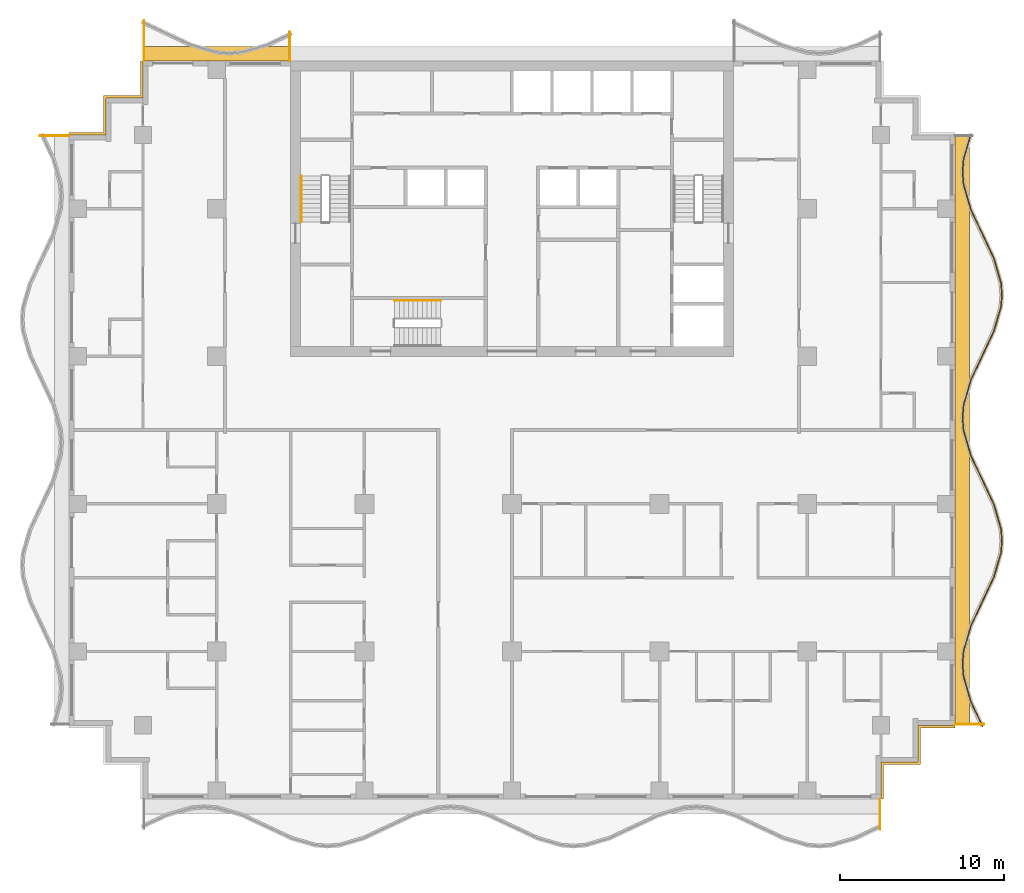
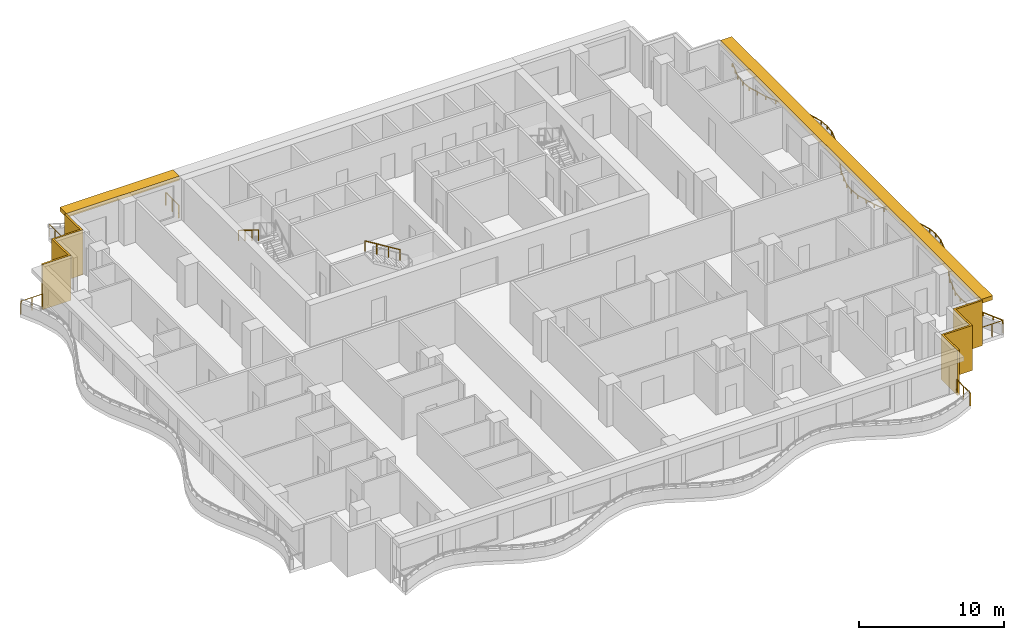
# One storey, part 10 of 11: 8 railings, 4 shading devices.
"""IFC4 building model written with IfcOpenShell, lengths in metres."""

from ifc_helpers import new_model, si_unit, direction, frame, origin, origin_2d, place, context, subcontext, project, spatial, polyline, rectangle, circle, outline, extrude, material, layer, layer_set, type_object, element, save


model = new_model("IFC4")

# Units and contexts
model_context = context("Model", 3, precision=1e-05, world=origin(), true_north=direction((0.0, 1.0)))
body_context = subcontext(model_context, "Body", "Model", "MODEL_VIEW")
ifc_project = project(units=[si_unit("LENGTHUNIT", "METRE"), si_unit("AREAUNIT", "SQUARE_METRE"), si_unit("VOLUMEUNIT", "CUBIC_METRE"), si_unit("PLANEANGLEUNIT", "RADIAN"), si_unit("MASSUNIT", "GRAM", prefix="KILO")], contexts=[model_context])

# Site, building, storey
site_placement = place(None, origin())
site = spatial("IfcSite", under=ifc_project, at=site_placement, CompositionType="ELEMENT")
building_placement = place(site_placement, origin())
building = spatial("IfcBuilding", under=site, at=building_placement, Name="Orbiselva Terraces", CompositionType="ELEMENT")
storey_placement = place(building_placement, frame((0.0, 0.0, 195.8)))
storey = spatial("IfcBuildingStorey", under=building, at=storey_placement, Name="L49", CompositionType="ELEMENT", Elevation=195.8)

# Railings
ifc_material_1 = material(Name="Stainless steel", Category="steel")
railing_type_1 = type_object("IfcRailingType", Name="CORE-HANDRAIL-900", PredefinedType="HANDRAIL", material=ifc_material_1)
railing_1_placement = place(storey_placement, frame((-12.85, 15.5, 2.072727)))
element("IfcRailing", 1, at=railing_1_placement, inside=storey, type_object=railing_type_1, Name="L49 S1 stair handrail 2", PredefinedType="HANDRAIL", context=body_context, shape_type="SweptSolid", body=[
    extrude(circle(Radius=0.024, at=origin_2d()), frame((0.0, 0.0, 0.876), z_axis=(0.0, -0.851088519012, 0.52502222125), x_axis=(1.0, 0.0, 0.0)), (0.0, 0.0, 1.0), 3.289905),
    extrude(circle(Radius=0.021, at=origin_2d()), origin(), (0.0, 0.0, 1.0), 0.852),
    extrude(circle(Radius=0.021, at=origin_2d()), frame((0.0, -0.933333, 0.575758)), (0.0, 0.0, 1.0), 0.852),
    extrude(circle(Radius=0.021, at=origin_2d()), frame((0.0, -1.866667, 1.151515)), (0.0, 0.0, 1.0), 0.852),
    extrude(circle(Radius=0.021, at=origin_2d()), frame((0.0, -2.8, 1.727273)), (0.0, 0.0, 1.0), 0.852),
])
railing_2_placement = place(storey_placement, frame((-4.35, 7.9, 2.072727)))
element("IfcRailing", 2, at=railing_2_placement, inside=storey, type_object=railing_type_1, Name="L49 S3 stair handrail 2", PredefinedType="HANDRAIL", context=body_context, shape_type="SweptSolid", body=[
    extrude(circle(Radius=0.024, at=origin_2d()), frame((0.0, 0.0, 0.876), z_axis=(-0.851088519012, 0.0, 0.52502222125), x_axis=(0.0, -1.0, 0.0)), (0.0, 0.0, 1.0), 3.289905),
    extrude(circle(Radius=0.021, at=origin_2d()), origin(), (0.0, 0.0, 1.0), 0.852),
    extrude(circle(Radius=0.021, at=origin_2d()), frame((-0.933333, 0.0, 0.575758)), (0.0, 0.0, 1.0), 0.852),
    extrude(circle(Radius=0.021, at=origin_2d()), frame((-1.866667, 0.0, 1.151515)), (0.0, 0.0, 1.0), 0.852),
    extrude(circle(Radius=0.021, at=origin_2d()), frame((-2.8, 0.0, 1.727273)), (0.0, 0.0, 1.0), 0.852),
])
ifc_material_2 = material(Name="Bonded two-ply safety glass balustrade, stainless steel posts", Category="steel")
railing_type_2 = type_object("IfcRailingType", Name="ENV-BALUSTRADE-1200", PredefinedType="BALUSTRADE", material=ifc_material_2)
railing_3_placement = place(storey_placement, frame((28.686882, -18.053191, 0.9)))
element("IfcRailing", 3, at=railing_3_placement, inside=storey, type_object=railing_type_2, Name="Balcony balustrade L49 E", PredefinedType="BALUSTRADE", context=body_context, shape_type="SweptSolid", body=[
    extrude(outline(polyline([(0.028868, 0.0), (0.014434, 0.025), (-0.014434, 0.025), (-0.028868, 0.0), (-0.014434, -0.025), (0.014434, -0.025), (0.028868, 0.0)])), frame((0.0, 0.0, 0.275), z_axis=(-0.425530342069, 0.904944157382, 0.0), x_axis=(-0.904944157382, -0.425530342069, 0.0)), (0.0, 0.0, 1.0), 1.667376),
    extrude(outline(polyline([(0.028868, 0.0), (0.014434, 0.025), (-0.014434, 0.025), (-0.028868, 0.0), (-0.014434, -0.025), (0.014434, -0.025), (0.028868, 0.0)])), frame((-0.709519, 1.508882, 0.275), z_axis=(-0.279070928786, 0.960270491427, 0.0), x_axis=(-0.960270491427, -0.279070928786, 0.0)), (0.0, 0.0, 1.0), 1.584712),
    extrude(outline(polyline([(0.028868, 0.0), (0.014434, 0.025), (-0.014434, 0.025), (-0.028868, 0.0), (-0.014434, -0.025), (0.014434, -0.025), (0.028868, 0.0)])), frame((-1.151766, 3.030634, 0.275), z_axis=(-0.078071061106, 0.996947796737, 0.0), x_axis=(-0.996947796737, -0.078071061106, 0.0)), (0.0, 0.0, 1.0), 0.774922),
    extrude(outline(polyline([(0.028868, 0.0), (0.014434, 0.025), (-0.014434, 0.025), (-0.028868, 0.0), (-0.014434, -0.025), (0.014434, -0.025), (0.028868, 0.0)])), frame((-1.212265, 3.803191, 0.275), z_axis=(0.078071061106, 0.996947796737, 0.0), x_axis=(-0.996947796737, 0.078071061106, 0.0)), (0.0, 0.0, 1.0), 0.774922),
    extrude(outline(polyline([(0.028868, 0.0), (0.014434, 0.025), (-0.014434, 0.025), (-0.028868, 0.0), (-0.014434, -0.025), (0.014434, -0.025), (0.028868, 0.0)])), frame((-1.151766, 4.575748, 0.275), z_axis=(0.279070928786, 0.960270491427, 0.0), x_axis=(-0.960270491427, 0.279070928786, 0.0)), (0.0, 0.0, 1.0), 1.584712),
    extrude(outline(polyline([(0.028868, 0.0), (0.014434, 0.025), (-0.014434, 0.025), (-0.028868, 0.0), (-0.014434, -0.025), (0.014434, -0.025), (0.028868, 0.0)])), frame((-0.709519, 6.0975, 0.275), z_axis=(0.425530342069, 0.904944157382, 0.0), x_axis=(-0.904944157382, 0.425530342069, 0.0)), (0.0, 0.0, 1.0), 1.667376),
    extrude(outline(polyline([(0.028868, 0.0), (0.014434, 0.025), (-0.014434, 0.025), (-0.028868, 0.0), (-0.014434, -0.025), (0.014434, -0.025), (0.028868, 0.0)])), frame((0.0, 7.606382, 0.275), z_axis=(0.425529912322, 0.904944359461, 0.0), x_axis=(-0.904944359461, 0.425529912322, 0.0)), (0.0, 0.0, 1.0), 1.647746),
    extrude(outline(polyline([(0.028868, 0.0), (0.014434, 0.025), (-0.014434, 0.025), (-0.028868, 0.0), (-0.014434, -0.025), (0.014434, -0.025), (0.028868, 0.0)])), frame((0.701165, 9.0975, 0.275), z_axis=(0.279071528957, 0.960270317007, 0.0), x_axis=(-0.960270317007, 0.279071528957, 0.0)), (0.0, 0.0, 1.0), 1.539408),
    extrude(outline(polyline([(0.028868, 0.0), (0.014434, 0.025), (-0.014434, 0.025), (-0.028868, 0.0), (-0.014434, -0.025), (0.014434, -0.025), (0.028868, 0.0)])), frame((1.13077, 10.575748, 0.275), z_axis=(0.078069536776, 0.996947916106, 0.0), x_axis=(-0.996947916106, 0.078069536776, 0.0)), (0.0, 0.0, 1.0), 0.72967),
    extrude(outline(polyline([(0.028868, 0.0), (0.014434, 0.025), (-0.014434, 0.025), (-0.028868, 0.0), (-0.014434, -0.025), (0.014434, -0.025), (0.028868, 0.0)])), frame((1.187735, 11.303191, 0.275), z_axis=(-0.078069536776, 0.996947916106, 0.0), x_axis=(-0.996947916106, -0.078069536776, 0.0)), (0.0, 0.0, 1.0), 0.72967),
    extrude(outline(polyline([(0.028868, 0.0), (0.014434, 0.025), (-0.014434, 0.025), (-0.028868, 0.0), (-0.014434, -0.025), (0.014434, -0.025), (0.028868, 0.0)])), frame((1.13077, 12.030634, 0.275), z_axis=(-0.279071528957, 0.960270317007, 0.0), x_axis=(-0.960270317007, -0.279071528957, 0.0)), (0.0, 0.0, 1.0), 1.539408),
    extrude(outline(polyline([(0.028868, 0.0), (0.014434, 0.025), (-0.014434, 0.025), (-0.028868, 0.0), (-0.014434, -0.025), (0.014434, -0.025), (0.028868, 0.0)])), frame((0.701165, 13.508882, 0.275), z_axis=(-0.425529912322, 0.904944359461, 0.0), x_axis=(-0.904944359461, -0.425529912322, 0.0)), (0.0, 0.0, 1.0), 1.647746),
    extrude(outline(polyline([(0.028868, 0.0), (0.014434, 0.025), (-0.014434, 0.025), (-0.028868, 0.0), (-0.014434, -0.025), (0.014434, -0.025), (0.028868, 0.0)])), frame((0.0, 15.0, 0.275), z_axis=(-0.425530342069, 0.904944157382, 0.0), x_axis=(-0.904944157382, -0.425530342069, 0.0)), (0.0, 0.0, 1.0), 1.667376),
    extrude(outline(polyline([(0.028868, 0.0), (0.014434, 0.025), (-0.014434, 0.025), (-0.028868, 0.0), (-0.014434, -0.025), (0.014434, -0.025), (0.028868, 0.0)])), frame((-0.709519, 16.508882, 0.275), z_axis=(-0.279070928786, 0.960270491427, 0.0), x_axis=(-0.960270491427, -0.279070928786, 0.0)), (0.0, 0.0, 1.0), 1.584712),
    extrude(outline(polyline([(0.028868, 0.0), (0.014434, 0.025), (-0.014434, 0.025), (-0.028868, 0.0), (-0.014434, -0.025), (0.014434, -0.025), (0.028868, 0.0)])), frame((-1.151766, 18.030634, 0.275), z_axis=(-0.078071061106, 0.996947796737, 0.0), x_axis=(-0.996947796737, -0.078071061106, 0.0)), (0.0, 0.0, 1.0), 0.774922),
    extrude(outline(polyline([(0.028868, 0.0), (0.014434, 0.025), (-0.014434, 0.025), (-0.028868, 0.0), (-0.014434, -0.025), (0.014434, -0.025), (0.028868, 0.0)])), frame((-1.212265, 18.803191, 0.275), z_axis=(0.078071061106, 0.996947796737, 0.0), x_axis=(-0.996947796737, 0.078071061106, 0.0)), (0.0, 0.0, 1.0), 0.774922),
    extrude(outline(polyline([(0.028868, 0.0), (0.014434, 0.025), (-0.014434, 0.025), (-0.028868, 0.0), (-0.014434, -0.025), (0.014434, -0.025), (0.028868, 0.0)])), frame((-1.151766, 19.575748, 0.275), z_axis=(0.279070928786, 0.960270491427, 0.0), x_axis=(-0.960270491427, 0.279070928786, 0.0)), (0.0, 0.0, 1.0), 1.584712),
    extrude(outline(polyline([(0.028868, 0.0), (0.014434, 0.025), (-0.014434, 0.025), (-0.028868, 0.0), (-0.014434, -0.025), (0.014434, -0.025), (0.028868, 0.0)])), frame((-0.709519, 21.0975, 0.275), z_axis=(0.425530342069, 0.904944157382, 0.0), x_axis=(-0.904944157382, 0.425530342069, 0.0)), (0.0, 0.0, 1.0), 1.667376),
    extrude(outline(polyline([(0.028868, 0.0), (0.014434, 0.025), (-0.014434, 0.025), (-0.028868, 0.0), (-0.014434, -0.025), (0.014434, -0.025), (0.028868, 0.0)])), frame((0.0, 22.606382, 0.275), z_axis=(0.425529912322, 0.904944359461, 0.0), x_axis=(-0.904944359461, 0.425529912322, 0.0)), (0.0, 0.0, 1.0), 1.647746),
    extrude(outline(polyline([(0.028868, 0.0), (0.014434, 0.025), (-0.014434, 0.025), (-0.028868, 0.0), (-0.014434, -0.025), (0.014434, -0.025), (0.028868, 0.0)])), frame((0.701165, 24.0975, 0.275), z_axis=(0.279071528957, 0.960270317007, 0.0), x_axis=(-0.960270317007, 0.279071528957, 0.0)), (0.0, 0.0, 1.0), 1.539408),
    extrude(outline(polyline([(0.028868, 0.0), (0.014434, 0.025), (-0.014434, 0.025), (-0.028868, 0.0), (-0.014434, -0.025), (0.014434, -0.025), (0.028868, 0.0)])), frame((1.13077, 25.575748, 0.275), z_axis=(0.078069536776, 0.996947916106, 0.0), x_axis=(-0.996947916106, 0.078069536776, 0.0)), (0.0, 0.0, 1.0), 0.72967),
    extrude(outline(polyline([(0.028868, 0.0), (0.014434, 0.025), (-0.014434, 0.025), (-0.028868, 0.0), (-0.014434, -0.025), (0.014434, -0.025), (0.028868, 0.0)])), frame((1.187735, 26.303191, 0.275), z_axis=(-0.078069536776, 0.996947916106, 0.0), x_axis=(-0.996947916106, -0.078069536776, 0.0)), (0.0, 0.0, 1.0), 0.72967),
    extrude(outline(polyline([(0.028868, 0.0), (0.014434, 0.025), (-0.014434, 0.025), (-0.028868, 0.0), (-0.014434, -0.025), (0.014434, -0.025), (0.028868, 0.0)])), frame((1.13077, 27.030634, 0.275), z_axis=(-0.279071528957, 0.960270317007, 0.0), x_axis=(-0.960270317007, -0.279071528957, 0.0)), (0.0, 0.0, 1.0), 1.539408),
    extrude(outline(polyline([(0.028868, 0.0), (0.014434, 0.025), (-0.014434, 0.025), (-0.028868, 0.0), (-0.014434, -0.025), (0.014434, -0.025), (0.028868, 0.0)])), frame((0.701165, 28.508882, 0.275), z_axis=(-0.425529912322, 0.904944359461, 0.0), x_axis=(-0.904944359461, -0.425529912322, 0.0)), (0.0, 0.0, 1.0), 1.647746),
    extrude(outline(polyline([(0.028868, 0.0), (0.014434, 0.025), (-0.014434, 0.025), (-0.028868, 0.0), (-0.014434, -0.025), (0.014434, -0.025), (0.028868, 0.0)])), frame((0.0, 30.0, 0.275), z_axis=(-0.425530342069, 0.904944157382, 0.0), x_axis=(-0.904944157382, -0.425530342069, 0.0)), (0.0, 0.0, 1.0), 1.667376),
    extrude(outline(polyline([(0.028868, 0.0), (0.014434, 0.025), (-0.014434, 0.025), (-0.028868, 0.0), (-0.014434, -0.025), (0.014434, -0.025), (0.028868, 0.0)])), frame((-0.709519, 31.508882, 0.275), z_axis=(-0.279070928786, 0.960270491427, 0.0), x_axis=(-0.960270491427, -0.279070928786, 0.0)), (0.0, 0.0, 1.0), 1.584712),
    extrude(outline(polyline([(0.028868, 0.0), (0.014434, 0.025), (-0.014434, 0.025), (-0.028868, 0.0), (-0.014434, -0.025), (0.014434, -0.025), (0.028868, 0.0)])), frame((-1.151766, 33.030634, 0.275), z_axis=(-0.078071061106, 0.996947796737, 0.0), x_axis=(-0.996947796737, -0.078071061106, 0.0)), (0.0, 0.0, 1.0), 0.774922),
    extrude(outline(polyline([(0.028868, 0.0), (0.014434, 0.025), (-0.014434, 0.025), (-0.028868, 0.0), (-0.014434, -0.025), (0.014434, -0.025), (0.028868, 0.0)])), frame((-1.212265, 33.803191, 0.275), z_axis=(0.078071061106, 0.996947796737, 0.0), x_axis=(-0.996947796737, 0.078071061106, 0.0)), (0.0, 0.0, 1.0), 0.774922),
    extrude(outline(polyline([(0.028868, 0.0), (0.014434, 0.025), (-0.014434, 0.025), (-0.028868, 0.0), (-0.014434, -0.025), (0.014434, -0.025), (0.028868, 0.0)])), frame((-1.151766, 34.575748, 0.275), z_axis=(0.279070966973, 0.96027048033, 0.0), x_axis=(-0.96027048033, 0.279070966973, 0.0)), (0.0, 0.0, 1.0), 1.574897),
    extrude(rectangle(XDim=0.05, YDim=0.05, at=origin_2d()), origin(), (0.0, 0.0, 1.0), 0.25),
    extrude(rectangle(XDim=0.05, YDim=0.05, at=origin_2d()), frame((-0.35476, 0.754441, 0.0)), (0.0, 0.0, 1.0), 0.25),
    extrude(rectangle(XDim=0.05, YDim=0.05, at=origin_2d()), frame((-0.709519, 1.508882, 0.0)), (0.0, 0.0, 1.0), 0.25),
    extrude(rectangle(XDim=0.05, YDim=0.05, at=origin_2d()), frame((-0.930643, 2.269758, 0.0)), (0.0, 0.0, 1.0), 0.25),
    extrude(rectangle(XDim=0.05, YDim=0.05, at=origin_2d()), frame((-1.151766, 3.030634, 0.0)), (0.0, 0.0, 1.0), 0.25),
    extrude(rectangle(XDim=0.05, YDim=0.05, at=origin_2d()), frame((-1.212265, 3.803191, 0.0)), (0.0, 0.0, 1.0), 0.25),
    extrude(rectangle(XDim=0.05, YDim=0.05, at=origin_2d()), frame((-1.151766, 4.575748, 0.0)), (0.0, 0.0, 1.0), 0.25),
    extrude(rectangle(XDim=0.05, YDim=0.05, at=origin_2d()), frame((-0.930643, 5.336624, 0.0)), (0.0, 0.0, 1.0), 0.25),
    extrude(rectangle(XDim=0.05, YDim=0.05, at=origin_2d()), frame((-0.709519, 6.0975, 0.0)), (0.0, 0.0, 1.0), 0.25),
    extrude(rectangle(XDim=0.05, YDim=0.05, at=origin_2d()), frame((-0.35476, 6.851941, 0.0)), (0.0, 0.0, 1.0), 0.25),
    extrude(rectangle(XDim=0.05, YDim=0.05, at=origin_2d()), frame((0.0, 7.606382, 0.0)), (0.0, 0.0, 1.0), 0.25),
    extrude(rectangle(XDim=0.05, YDim=0.05, at=origin_2d()), frame((0.350582, 8.351941, 0.0)), (0.0, 0.0, 1.0), 0.25),
    extrude(rectangle(XDim=0.05, YDim=0.05, at=origin_2d()), frame((0.701165, 9.0975, 0.0)), (0.0, 0.0, 1.0), 0.25),
    extrude(rectangle(XDim=0.05, YDim=0.05, at=origin_2d()), frame((0.915967, 9.836624, 0.0)), (0.0, 0.0, 1.0), 0.25),
    extrude(rectangle(XDim=0.05, YDim=0.05, at=origin_2d()), frame((1.13077, 10.575748, 0.0)), (0.0, 0.0, 1.0), 0.25),
    extrude(rectangle(XDim=0.05, YDim=0.05, at=origin_2d()), frame((1.187735, 11.303191, 0.0)), (0.0, 0.0, 1.0), 0.25),
    extrude(rectangle(XDim=0.05, YDim=0.05, at=origin_2d()), frame((1.13077, 12.030634, 0.0)), (0.0, 0.0, 1.0), 0.25),
    extrude(rectangle(XDim=0.05, YDim=0.05, at=origin_2d()), frame((0.915967, 12.769758, 0.0)), (0.0, 0.0, 1.0), 0.25),
    extrude(rectangle(XDim=0.05, YDim=0.05, at=origin_2d()), frame((0.701165, 13.508882, 0.0)), (0.0, 0.0, 1.0), 0.25),
    extrude(rectangle(XDim=0.05, YDim=0.05, at=origin_2d()), frame((0.350582, 14.254441, 0.0)), (0.0, 0.0, 1.0), 0.25),
    extrude(rectangle(XDim=0.05, YDim=0.05, at=origin_2d()), frame((0.0, 15.0, 0.0)), (0.0, 0.0, 1.0), 0.25),
    extrude(rectangle(XDim=0.05, YDim=0.05, at=origin_2d()), frame((-0.35476, 15.754441, 0.0)), (0.0, 0.0, 1.0), 0.25),
    extrude(rectangle(XDim=0.05, YDim=0.05, at=origin_2d()), frame((-0.709519, 16.508882, 0.0)), (0.0, 0.0, 1.0), 0.25),
    extrude(rectangle(XDim=0.05, YDim=0.05, at=origin_2d()), frame((-0.930643, 17.269758, 0.0)), (0.0, 0.0, 1.0), 0.25),
    extrude(rectangle(XDim=0.05, YDim=0.05, at=origin_2d()), frame((-1.151766, 18.030634, 0.0)), (0.0, 0.0, 1.0), 0.25),
    extrude(rectangle(XDim=0.05, YDim=0.05, at=origin_2d()), frame((-1.212265, 18.803191, 0.0)), (0.0, 0.0, 1.0), 0.25),
    extrude(rectangle(XDim=0.05, YDim=0.05, at=origin_2d()), frame((-1.151766, 19.575748, 0.0)), (0.0, 0.0, 1.0), 0.25),
    extrude(rectangle(XDim=0.05, YDim=0.05, at=origin_2d()), frame((-0.930643, 20.336624, 0.0)), (0.0, 0.0, 1.0), 0.25),
    extrude(rectangle(XDim=0.05, YDim=0.05, at=origin_2d()), frame((-0.709519, 21.0975, 0.0)), (0.0, 0.0, 1.0), 0.25),
    extrude(rectangle(XDim=0.05, YDim=0.05, at=origin_2d()), frame((-0.35476, 21.851941, 0.0)), (0.0, 0.0, 1.0), 0.25),
    extrude(rectangle(XDim=0.05, YDim=0.05, at=origin_2d()), frame((0.0, 22.606382, 0.0)), (0.0, 0.0, 1.0), 0.25),
    extrude(rectangle(XDim=0.05, YDim=0.05, at=origin_2d()), frame((0.350582, 23.351941, 0.0)), (0.0, 0.0, 1.0), 0.25),
    extrude(rectangle(XDim=0.05, YDim=0.05, at=origin_2d()), frame((0.701165, 24.0975, 0.0)), (0.0, 0.0, 1.0), 0.25),
    extrude(rectangle(XDim=0.05, YDim=0.05, at=origin_2d()), frame((0.915967, 24.836624, 0.0)), (0.0, 0.0, 1.0), 0.25),
    extrude(rectangle(XDim=0.05, YDim=0.05, at=origin_2d()), frame((1.13077, 25.575748, 0.0)), (0.0, 0.0, 1.0), 0.25),
    extrude(rectangle(XDim=0.05, YDim=0.05, at=origin_2d()), frame((1.187735, 26.303191, 0.0)), (0.0, 0.0, 1.0), 0.25),
    extrude(rectangle(XDim=0.05, YDim=0.05, at=origin_2d()), frame((1.13077, 27.030634, 0.0)), (0.0, 0.0, 1.0), 0.25),
    extrude(rectangle(XDim=0.05, YDim=0.05, at=origin_2d()), frame((0.915967, 27.769758, 0.0)), (0.0, 0.0, 1.0), 0.25),
    extrude(rectangle(XDim=0.05, YDim=0.05, at=origin_2d()), frame((0.701165, 28.508882, 0.0)), (0.0, 0.0, 1.0), 0.25),
    extrude(rectangle(XDim=0.05, YDim=0.05, at=origin_2d()), frame((0.350582, 29.254441, 0.0)), (0.0, 0.0, 1.0), 0.25),
    extrude(rectangle(XDim=0.05, YDim=0.05, at=origin_2d()), frame((0.0, 30.0, 0.0)), (0.0, 0.0, 1.0), 0.25),
    extrude(rectangle(XDim=0.05, YDim=0.05, at=origin_2d()), frame((-0.35476, 30.754441, 0.0)), (0.0, 0.0, 1.0), 0.25),
    extrude(rectangle(XDim=0.05, YDim=0.05, at=origin_2d()), frame((-0.709519, 31.508882, 0.0)), (0.0, 0.0, 1.0), 0.25),
    extrude(rectangle(XDim=0.05, YDim=0.05, at=origin_2d()), frame((-0.930643, 32.269758, 0.0)), (0.0, 0.0, 1.0), 0.25),
    extrude(rectangle(XDim=0.05, YDim=0.05, at=origin_2d()), frame((-1.151766, 33.030634, 0.0)), (0.0, 0.0, 1.0), 0.25),
    extrude(rectangle(XDim=0.05, YDim=0.05, at=origin_2d()), frame((-1.212265, 33.803191, 0.0)), (0.0, 0.0, 1.0), 0.25),
    extrude(rectangle(XDim=0.05, YDim=0.05, at=origin_2d()), frame((-1.151766, 34.575748, 0.0)), (0.0, 0.0, 1.0), 0.25),
    extrude(rectangle(XDim=0.05, YDim=0.05, at=origin_2d()), frame((-0.932012, 35.331912, 0.0)), (0.0, 0.0, 1.0), 0.25),
    extrude(rectangle(XDim=0.05, YDim=0.05, at=origin_2d()), frame((-0.712258, 36.088075, 0.0)), (0.0, 0.0, 1.0), 0.25),
])
ifc_material_3 = material(Name="Stainless steel rail and posts", Category="steel")
railing_type_3 = type_object("IfcRailingType", Name="ENV-GUARD-1105", PredefinedType="BALUSTRADE", material=ifc_material_3)
railing_4_placement = place(storey_placement, frame((22.44, -24.330156, 0.0)))
element("IfcRailing", 4, at=railing_4_placement, inside=storey, type_object=railing_type_3, Name="Balcony end guard L49 S", PredefinedType="BALUSTRADE", context=body_context, shape_type="SweptSolid", body=[
    extrude(outline(polyline([(0.028868, 0.0), (0.014434, 0.025), (-0.014434, 0.025), (-0.028868, 0.0), (-0.014434, -0.025), (0.014434, -0.025), (0.028868, 0.0)])), frame((0.0, 0.0, 1.08), z_axis=(0.0, 1.0, 0.0), x_axis=(-1.0, 0.0, 0.0)), (0.0, 0.0, 1.0), 1.805156),
    extrude(rectangle(XDim=0.05, YDim=0.05, at=origin_2d()), origin(), (0.0, 0.0, 1.0), 1.055),
    extrude(rectangle(XDim=0.05, YDim=0.05, at=origin_2d()), frame((0.0, 0.902578, 0.0)), (0.0, 0.0, 1.0), 1.055),
    extrude(rectangle(XDim=0.05, YDim=0.05, at=origin_2d()), frame((0.0, 1.805156, 0.0)), (0.0, 0.0, 1.0), 1.055),
])
railing_5_placement = place(storey_placement, frame((28.769844, -17.94, 0.0)))
element("IfcRailing", 5, at=railing_5_placement, inside=storey, type_object=railing_type_3, Name="Balcony end guard L49 E", PredefinedType="BALUSTRADE", context=body_context, shape_type="SweptSolid", body=[
    extrude(outline(polyline([(0.028868, 0.0), (0.014434, 0.025), (-0.014434, 0.025), (-0.028868, 0.0), (-0.014434, -0.025), (0.014434, -0.025), (0.028868, 0.0)])), frame((0.0, 0.0, 1.08), z_axis=(-1.0, 0.0, 0.0), x_axis=(0.0, -1.0, 0.0)), (0.0, 0.0, 1.0), 1.744844),
    extrude(rectangle(XDim=0.05, YDim=0.05, at=origin_2d()), origin(), (0.0, 0.0, 1.0), 1.055),
    extrude(rectangle(XDim=0.05, YDim=0.05, at=origin_2d()), frame((-0.872422, 0.0, 0.0)), (0.0, 0.0, 1.0), 1.055),
    extrude(rectangle(XDim=0.05, YDim=0.05, at=origin_2d()), frame((-1.744844, 0.0, 0.0)), (0.0, 0.0, 1.0), 1.055),
])
railing_6_placement = place(storey_placement, frame((-13.56, 24.269844, 0.0)))
element("IfcRailing", 6, at=railing_6_placement, inside=storey, type_object=railing_type_3, Name="Balcony end guard L49 NW", PredefinedType="BALUSTRADE", context=body_context, shape_type="SweptSolid", body=[
    extrude(outline(polyline([(0.028868, 0.0), (0.014434, 0.025), (-0.014434, 0.025), (-0.028868, 0.0), (-0.014434, -0.025), (0.014434, -0.025), (0.028868, 0.0)])), frame((0.0, 0.0, 1.08), z_axis=(0.0, -1.0, 0.0), x_axis=(1.0, 0.0, 0.0)), (0.0, 0.0, 1.0), 1.744844),
    extrude(rectangle(XDim=0.05, YDim=0.05, at=origin_2d()), origin(), (0.0, 0.0, 1.0), 1.055),
    extrude(rectangle(XDim=0.05, YDim=0.05, at=origin_2d()), frame((0.0, -0.872422, 0.0)), (0.0, 0.0, 1.0), 1.055),
    extrude(rectangle(XDim=0.05, YDim=0.05, at=origin_2d()), frame((0.0, -1.744844, 0.0)), (0.0, 0.0, 1.0), 1.055),
])
railing_7_placement = place(storey_placement, frame((-22.44, 24.980723, 0.0)))
element("IfcRailing", 7, at=railing_7_placement, inside=storey, type_object=railing_type_3, Name="Balcony end guard L49 NW", PredefinedType="BALUSTRADE", context=body_context, shape_type="SweptSolid", body=[
    extrude(outline(polyline([(0.028868, 0.0), (0.014434, 0.025), (-0.014434, 0.025), (-0.028868, 0.0), (-0.014434, -0.025), (0.014434, -0.025), (0.028868, 0.0)])), frame((0.0, 0.0, 1.08), z_axis=(0.0, -1.0, 0.0), x_axis=(1.0, 0.0, 0.0)), (0.0, 0.0, 1.0), 2.455723),
    extrude(rectangle(XDim=0.05, YDim=0.05, at=origin_2d()), origin(), (0.0, 0.0, 1.0), 1.055),
    extrude(rectangle(XDim=0.05, YDim=0.05, at=origin_2d()), frame((0.0, -0.818574, 0.0)), (0.0, 0.0, 1.0), 1.055),
    extrude(rectangle(XDim=0.05, YDim=0.05, at=origin_2d()), frame((0.0, -1.637149, 0.0)), (0.0, 0.0, 1.0), 1.055),
    extrude(rectangle(XDim=0.05, YDim=0.05, at=origin_2d()), frame((0.0, -2.455723, 0.0)), (0.0, 0.0, 1.0), 1.055),
])
railing_8_placement = place(storey_placement, frame((-28.769844, 17.94, 0.0)))
element("IfcRailing", 8, at=railing_8_placement, inside=storey, type_object=railing_type_3, Name="Balcony end guard L49 W", PredefinedType="BALUSTRADE", context=body_context, shape_type="SweptSolid", body=[
    extrude(outline(polyline([(0.028868, 0.0), (0.014434, 0.025), (-0.014434, 0.025), (-0.028868, 0.0), (-0.014434, -0.025), (0.014434, -0.025), (0.028868, 0.0)])), frame((0.0, 0.0, 1.08), z_axis=(1.0, 0.0, 0.0), x_axis=(0.0, 1.0, 0.0)), (0.0, 0.0, 1.0), 1.744844),
    extrude(rectangle(XDim=0.05, YDim=0.05, at=origin_2d()), origin(), (0.0, 0.0, 1.0), 1.055),
    extrude(rectangle(XDim=0.05, YDim=0.05, at=origin_2d()), frame((0.872422, 0.0, 0.0)), (0.0, 0.0, 1.0), 1.055),
    extrude(rectangle(XDim=0.05, YDim=0.05, at=origin_2d()), frame((1.744844, 0.0, 0.0)), (0.0, 0.0, 1.0), 1.055),
])

# Shading devices
ifc_material_4 = material(Name="Terracotta louvre screen", Category="masonry")
ifc_layer_1 = layer(ifc_material_4, 0.15)
ifc_layer_set_1 = layer_set([ifc_layer_1], Name="Terracotta louvre screen")
shading_device_type_1 = type_object("IfcShadingDeviceType", Name="ENV-SCREEN-150", PredefinedType="USERDEFINED", material=ifc_layer_set_1)
shading_device_1_placement = place(storey_placement, frame((0.0, 0.0, -0.3)))
element("IfcShadingDevice", 9, at=shading_device_1_placement, inside=storey, type_object=shading_device_type_1, Name="Louvre screen L49 NW", ObjectType="SCREEN", PredefinedType="USERDEFINED", context=body_context, shape_type="SweptSolid", body=[
    extrude(outline(polyline([(-22.65, 22.5), (-22.65, 20.4), (-24.9, 20.4), (-24.9, 18.15), (-27.0, 18.15), (-27.0, 18.0), (-24.75, 18.0), (-24.75, 20.25), (-22.5, 20.25), (-22.5, 22.5), (-22.65, 22.5)])), origin(), (0.0, 0.0, 1.0), 3.8),
])
shading_device_2_placement = place(storey_placement, frame((0.0, 0.0, -0.3)))
element("IfcShadingDevice", 10, at=shading_device_2_placement, inside=storey, type_object=shading_device_type_1, Name="Louvre screen L49 SE", ObjectType="SCREEN", PredefinedType="USERDEFINED", context=body_context, shape_type="SweptSolid", body=[
    extrude(outline(polyline([(22.65, -22.5), (22.65, -20.4), (24.9, -20.4), (24.9, -18.15), (27.0, -18.15), (27.0, -18.0), (24.75, -18.0), (24.75, -20.25), (22.5, -20.25), (22.5, -22.5), (22.65, -22.5)])), origin(), (0.0, 0.0, 1.0), 3.8),
])
ifc_material_5 = material(Name="Terracotta baguette sunshade", Category="masonry")
ifc_layer_2 = layer(ifc_material_5, 0.35)
ifc_layer_set_2 = layer_set([ifc_layer_2], Name="Terracotta baguette sunshade")
shading_device_type_2 = type_object("IfcShadingDeviceType", Name="ENV-SUNSHADE-900x350", PredefinedType="USERDEFINED", material=ifc_layer_set_2)
shading_device_3_placement = place(storey_placement, frame((0.0, 0.0, 3.15)))
element("IfcShadingDevice", 11, at=shading_device_3_placement, inside=storey, type_object=shading_device_type_2, Name="Sunshade band L49 E", ObjectType="SUNSHADE", PredefinedType="USERDEFINED", context=body_context, shape_type="SweptSolid", body=[
    extrude(outline(polyline([(27.9, -18.0), (27.9, 18.0), (27.0, 18.0), (27.0, -18.0), (27.9, -18.0)])), origin(), (0.0, 0.0, 1.0), 0.35),
])
shading_device_4_placement = place(storey_placement, frame((0.0, 0.0, 3.15)))
element("IfcShadingDevice", 12, at=shading_device_4_placement, inside=storey, type_object=shading_device_type_2, Name="Sunshade band L49 NW", ObjectType="SUNSHADE", PredefinedType="USERDEFINED", context=body_context, shape_type="SweptSolid", body=[
    extrude(outline(polyline([(-13.5, 23.4), (-22.5, 23.4), (-22.5, 22.5), (-13.5, 22.5), (-13.5, 23.4)])), origin(), (0.0, 0.0, 1.0), 0.35),
])

save(model, "model.ifc")
